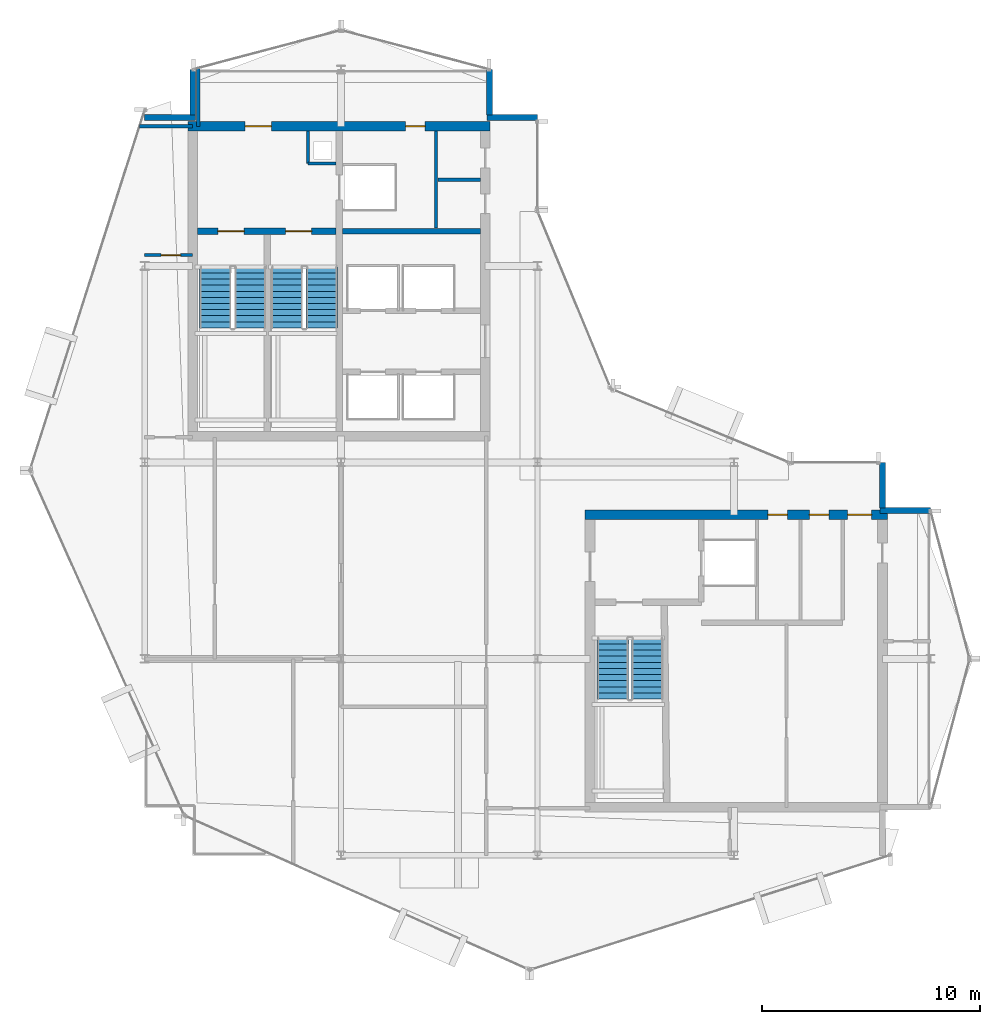
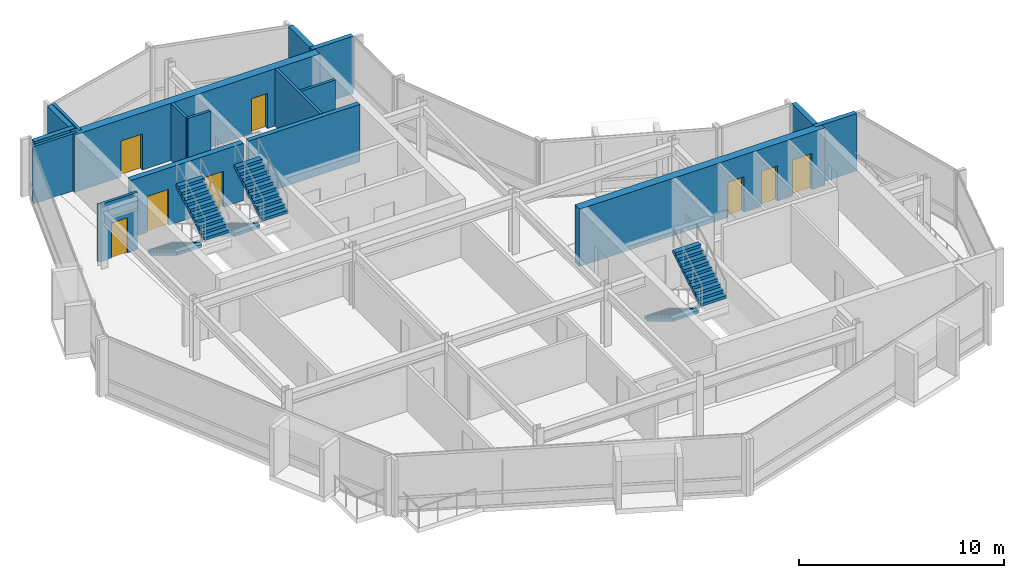
# One storey, part 15 of 19: 17 walls, 8 doors, 6 stair flights, 8 openings, 3 elements without a shape of their own.
"""IFC4 building model written with IfcOpenShell, lengths in metres."""

from ifc_helpers import new_model, si_unit, direction, frame, frame_2d, origin, place, context, subcontext, project, spatial, polyline, rectangle, outline, extrude, material, layer, layer_set, type_object, element, fill, aggregate, save


model = new_model("IFC4")

# Units and contexts
model_context = context("Model", 3, precision=1e-05, world=origin(), true_north=direction((0.0, 1.0)))
body_context = subcontext(model_context, "Body", "Model", "MODEL_VIEW")
ifc_project = project(units=[si_unit("LENGTHUNIT", "METRE"), si_unit("AREAUNIT", "SQUARE_METRE"), si_unit("VOLUMEUNIT", "CUBIC_METRE"), si_unit("PLANEANGLEUNIT", "RADIAN"), si_unit("MASSUNIT", "GRAM", prefix="KILO")], contexts=[model_context])

# Site, building, storey
site_placement = place(None, origin())
site = spatial("IfcSite", under=ifc_project, at=site_placement, CompositionType="ELEMENT")
building_placement = place(site_placement, origin())
building = spatial("IfcBuilding", under=site, at=building_placement, Name="Solvaryn Broadcast Tower", CompositionType="ELEMENT")
storey_placement = place(building_placement, frame((0.0, 0.0, 266.699951171875)))
storey = spatial("IfcBuildingStorey", under=building, at=storey_placement, Name="L67", CompositionType="ELEMENT", Elevation=266.699951171875)

# Wall, openings, doors
ifc_material_1 = material(Name="Concrete f'c 70 MPa", Category="concrete")
ifc_layer_1 = layer(ifc_material_1, 0.449951171875)
ifc_layer_set_1 = layer_set([ifc_layer_1], Name="CW-SHEAR-450")
wall_type_1 = type_object("IfcWallType", Name="CW-SHEAR-450", PredefinedType="SHEAR", material=ifc_layer_set_1)
wall_1_placement = place(storey_placement, frame((24.824951171875, 42.39990234375, 0.0), z_axis=(0.0, 0.0, 1.0), x_axis=(-1.0, 0.0, 0.0)))
wall_1 = element("IfcWall", 1, at=wall_1_placement, inside=storey, type_object=wall_type_1, Name="L67 West Core North Shear Wall", PredefinedType="SHEAR", context=body_context, shape_type="SweptSolid", body=[
    extrude(rectangle(XDim=13.849853515625, YDim=0.449951171875, at=frame_2d((6.9248046875, 0.0))), origin(), (0.0, 0.0, 1.0), 3.420166015625),
])
opening_1_placement = place(wall_1_placement, frame((10.02490234375, 0.0, 0.0)))
opening_1 = element("IfcOpeningElement", 2, at=opening_1_placement, cuts=wall_1, Name="Opening FD90A", PredefinedType="OPENING", context=body_context, shape_type="SweptSolid", body=[
    extrude(rectangle(XDim=1.199951171875, YDim=2.14990234375, at=frame_2d((0.60009765625, 1.074951171875))), frame((0.0, 0.235107421875, 0.0), z_axis=(0.0, -1.0, 0.0), x_axis=(1.0, 0.0, 0.0)), (0.0, 0.0, 1.0), 0.469970703125),
])
opening_2_placement = place(wall_1_placement, frame((2.97509765625, 0.0, 0.0)))
opening_2 = element("IfcOpeningElement", 3, at=opening_2_placement, cuts=wall_1, Name="Opening FD60C", PredefinedType="OPENING", context=body_context, shape_type="SweptSolid", body=[
    extrude(rectangle(XDim=0.89990234375, YDim=2.10009765625, at=frame_2d((0.449951171875, 1.050048828125))), frame((0.0, 0.235107421875, 0.0), z_axis=(0.0, -1.0, 0.0), x_axis=(1.0, 0.0, 0.0)), (0.0, 0.0, 1.0), 0.469970703125),
])
ifc_material_2 = material(Name="Flush Acoustic Steel and Timber Door Assembly", Category="steel")
door_type_1 = type_object("IfcDoorType", Name="FD60-SERV-900X2100", OperationType="NOTDEFINED", PredefinedType="DOOR", material=ifc_material_2)
door_1_placement = place(opening_2_placement, origin())
door_1 = element("IfcDoor", 4, at=door_1_placement, inside=storey, type_object=door_type_1, Name="L67 West Core Fiber Riser Door", OperationType="SINGLE_SWING_RIGHT", OverallHeight=2.10009765625, OverallWidth=0.89990234375, PredefinedType="DOOR", context=body_context, shape_type="SweptSolid", body=[
    extrude(rectangle(XDim=0.89990234375, YDim=2.10009765625, at=frame_2d((0.449951171875, 1.050048828125))), frame((0.0, 0.02490234375, 0.0), z_axis=(0.0, -1.0, 0.0), x_axis=(1.0, 0.0, 0.0)), (0.0, 0.0, 1.0), 0.050048828125),
])
fill(opening_2, door_1)
ifc_material_3 = material(Name="Flush Acoustic Steel and Timber Door Assembly", Category="steel")
door_type_2 = type_object("IfcDoorType", Name="FD90-STAIR-1200X2150", OperationType="NOTDEFINED", PredefinedType="DOOR", material=ifc_material_3)
door_2_placement = place(opening_1_placement, origin())
door_2 = element("IfcDoor", 5, at=door_2_placement, inside=storey, type_object=door_type_2, Name="L67 West FSAE Lobby Corridor Door", OperationType="SINGLE_SWING_LEFT", OverallHeight=2.14990234375, OverallWidth=1.199951171875, PredefinedType="DOOR", context=body_context, shape_type="SweptSolid", body=[
    extrude(rectangle(XDim=1.199951171875, YDim=2.14990234375, at=frame_2d((0.60009765625, 1.074951171875))), frame((0.0, 0.02490234375, 0.0), z_axis=(0.0, -1.0, 0.0), x_axis=(1.0, 0.0, 0.0)), (0.0, 0.0, 1.0), 0.050048828125),
])
fill(opening_1, door_2)

wall_2_placement = place(storey_placement, frame((43.02490234375, 24.60009765625, 0.0), z_axis=(0.0, 0.0, 1.0), x_axis=(-1.0, 0.0, 0.0)))
wall_2 = element("IfcWall", 6, at=wall_2_placement, inside=storey, type_object=wall_type_1, Name="L67 East Core North Shear Wall", PredefinedType="SHEAR", context=body_context, shape_type="SweptSolid", body=[
    extrude(rectangle(XDim=13.849853515625, YDim=0.449951171875, at=frame_2d((6.9248046875, 0.0))), origin(), (0.0, 0.0, 1.0), 3.420166015625),
])
opening_3_placement = place(wall_2_placement, frame((0.72509765625, 0.0, 0.0)))
opening_3 = element("IfcOpeningElement", 7, at=opening_3_placement, cuts=wall_2, Name="Opening FD90C", PredefinedType="OPENING", context=body_context, shape_type="SweptSolid", body=[
    extrude(rectangle(XDim=1.10009765625, YDim=2.14990234375, at=frame_2d((0.550048828125, 1.074951171875))), frame((0.0, 0.235107421875, 0.0), z_axis=(0.0, -1.0, 0.0), x_axis=(1.0, 0.0, 0.0)), (0.0, 0.0, 1.0), 0.469970703125),
])
opening_4_placement = place(wall_2_placement, frame((2.675048828125, 0.0, 0.0)))
opening_4 = element("IfcOpeningElement", 8, at=opening_4_placement, cuts=wall_2, Name="Opening FD60C", PredefinedType="OPENING", context=body_context, shape_type="SweptSolid", body=[
    extrude(rectangle(XDim=0.89990234375, YDim=2.10009765625, at=frame_2d((0.449951171875, 1.050048828125))), frame((0.0, 0.235107421875, 0.0), z_axis=(0.0, -1.0, 0.0), x_axis=(1.0, 0.0, 0.0)), (0.0, 0.0, 1.0), 0.469970703125),
])
opening_5_placement = place(wall_2_placement, frame((4.574951171875, 0.0, 0.0)))
opening_5 = element("IfcOpeningElement", 9, at=opening_5_placement, cuts=wall_2, Name="Opening FD60C", PredefinedType="OPENING", context=body_context, shape_type="SweptSolid", body=[
    extrude(rectangle(XDim=0.89990234375, YDim=2.10009765625, at=frame_2d((0.449951171875, 1.050048828125))), frame((0.0, 0.235107421875, 0.0), z_axis=(0.0, -1.0, 0.0), x_axis=(1.0, 0.0, 0.0)), (0.0, 0.0, 1.0), 0.469970703125),
])
door_3_placement = place(opening_4_placement, origin())
door_3 = element("IfcDoor", 10, at=door_3_placement, inside=storey, type_object=door_type_1, Name="L67 Staff Restroom Door", OperationType="SINGLE_SWING_LEFT", OverallHeight=2.10009765625, OverallWidth=0.89990234375, PredefinedType="DOOR", context=body_context, shape_type="SweptSolid", body=[
    extrude(rectangle(XDim=0.89990234375, YDim=2.10009765625, at=frame_2d((0.449951171875, 1.050048828125))), frame((0.0, 0.02490234375, 0.0), z_axis=(0.0, -1.0, 0.0), x_axis=(1.0, 0.0, 0.0)), (0.0, 0.0, 1.0), 0.050048828125),
])
fill(opening_4, door_3)
door_4_placement = place(opening_5_placement, origin())
door_4 = element("IfcDoor", 11, at=door_4_placement, inside=storey, type_object=door_type_1, Name="L67 Accessible WC Door", OperationType="SINGLE_SWING_RIGHT", OverallHeight=2.10009765625, OverallWidth=0.89990234375, PredefinedType="DOOR", context=body_context, shape_type="SweptSolid", body=[
    extrude(rectangle(XDim=0.89990234375, YDim=2.10009765625, at=frame_2d((0.449951171875, 1.050048828125))), frame((0.0, 0.02490234375, 0.0), z_axis=(0.0, -1.0, 0.0), x_axis=(1.0, 0.0, 0.0)), (0.0, 0.0, 1.0), 0.050048828125),
])
fill(opening_5, door_4)
ifc_material_4 = material(Name="Flush Acoustic Steel and Timber Door Assembly", Category="steel")
door_type_3 = type_object("IfcDoorType", Name="FD90-PLANT-1100X2150", OperationType="NOTDEFINED", PredefinedType="DOOR", material=ifc_material_4)
door_5_placement = place(opening_3_placement, origin())
door_5 = element("IfcDoor", 12, at=door_5_placement, inside=storey, type_object=door_type_3, Name="L67 East Core Lobby Corridor Door", OperationType="SINGLE_SWING_LEFT", OverallHeight=2.14990234375, OverallWidth=1.10009765625, PredefinedType="DOOR", context=body_context, shape_type="SweptSolid", body=[
    extrude(rectangle(XDim=1.10009765625, YDim=2.14990234375, at=frame_2d((0.550048828125, 1.074951171875))), frame((0.0, 0.02490234375, 0.0), z_axis=(0.0, -1.0, 0.0), x_axis=(1.0, 0.0, 0.0)), (0.0, 0.0, 1.0), 0.050048828125),
])
fill(opening_3, door_5)

# Walls
ifc_material_5 = material(Name="Concrete f'c 50 MPa", Category="concrete")
ifc_layer_2 = layer(ifc_material_5, 0.260009765625)
ifc_layer_set_2 = layer_set([ifc_layer_2], Name="EW-PIER-260")
wall_type_2 = type_object("IfcWallType", Name="EW-PIER-260", PredefinedType="SOLIDWALL", material=ifc_layer_set_2)
wall_3_placement = place(storey_placement, frame((9.0, 42.800048828125, 0.0), z_axis=(0.0, 0.0, 1.0), x_axis=(1.0, 0.0, 0.0)))
element("IfcWall", 13, at=wall_3_placement, inside=storey, type_object=wall_type_2, Name="L67 Notched Corner Pier Wall NNW1", PredefinedType="SOLIDWALL", context=body_context, shape_type="SweptSolid", body=[
    extrude(rectangle(XDim=2.320068359375, YDim=0.260009765625, at=frame_2d((1.16015625, 0.0))), origin(), (0.0, 0.0, 1.0), 3.420166015625),
])
for number, where, z_axis, x_axis, name in (
    (14, (11.199951171875, 42.919921875, 0.0), (0.0, 0.0, 1.0), (0.0, 1.0, 0.0), "L67 Notched Corner Pier Wall NNW2"),
    (15, (24.800048828125, 45.0, 0.0), (0.0, 0.0, 1.0), (0.0, -1.0, 0.0), "L67 Notched Corner Pier Wall NNE1"),
):
    element("IfcWall", number, at=place(storey_placement, frame(where, z_axis=z_axis, x_axis=x_axis)), inside=storey, type_object=wall_type_2, Name=name, PredefinedType="SOLIDWALL", context=body_context, shape_type="SweptSolid", body=[
        extrude(rectangle(XDim=2.080078125, YDim=0.260009765625, at=frame_2d((1.0400390625, 0.0))), origin(), (0.0, 0.0, 1.0), 3.420166015625),
    ])
for number, where, z_axis, x_axis, name in (
    (16, (24.679931640625, 42.800048828125, 0.0), (0.0, 0.0, 1.0), (1.0, 0.0, 0.0), "L67 Notched Corner Pier Wall NNE2"),
    (17, (45.0, 24.800048828125, 0.0), (0.0, 0.0, 1.0), (-1.0, 0.0, 0.0), "L67 Notched Corner Pier Wall NEE1"),
):
    element("IfcWall", number, at=place(storey_placement, frame(where, z_axis=z_axis, x_axis=x_axis)), inside=storey, type_object=wall_type_2, Name=name, PredefinedType="SOLIDWALL", context=body_context, shape_type="SweptSolid", body=[
        extrude(rectangle(XDim=2.320068359375, YDim=0.260009765625, at=frame_2d((1.16015625, 0.0))), origin(), (0.0, 0.0, 1.0), 3.420166015625),
    ])
wall_4_placement = place(storey_placement, frame((42.800048828125, 24.919921875, 0.0), z_axis=(0.0, 0.0, 1.0), x_axis=(0.0, 1.0, 0.0)))
element("IfcWall", 18, at=wall_4_placement, inside=storey, type_object=wall_type_2, Name="L67 Notched Corner Pier Wall NEE2", PredefinedType="SOLIDWALL", context=body_context, shape_type="SweptSolid", body=[
    extrude(rectangle(XDim=2.080078125, YDim=0.260009765625, at=frame_2d((1.0400390625, 0.0))), origin(), (0.0, 0.0, 1.0), 3.420166015625),
])
ifc_material_6 = material(Name="Metal-Stud Service Core Partition")
ifc_layer_3 = layer(ifc_material_6, 0.14990234375)
ifc_layer_set_3 = layer_set([ifc_layer_3], Name="IW-PART-150")
wall_type_3 = type_object("IfcWallType", Name="IW-PART-150", PredefinedType="PARTITIONING", material=ifc_layer_set_3)
wall_5_placement = place(storey_placement, frame((16.47998046875, 40.699951171875, 0.0), z_axis=(0.0, 0.0, 1.0), x_axis=(1.0, 0.0, 0.0)))
element("IfcWall", 19, at=wall_5_placement, inside=storey, type_object=wall_type_3, Name="L67 West Core Riser Shaft South Wall", PredefinedType="PARTITIONING", context=body_context, shape_type="SweptSolid", body=[
    extrude(rectangle(XDim=1.2900390625, YDim=0.14990234375, at=frame_2d((0.64501953125, 0.0))), origin(), (0.0, 0.0, 1.0), 3.420166015625),
])
wall_6_placement = place(storey_placement, frame((16.47998046875, 40.699951171875, 0.0), z_axis=(0.0, 0.0, 1.0), x_axis=(0.0, 1.0, 0.0)))
element("IfcWall", 20, at=wall_6_placement, inside=storey, type_object=wall_type_3, Name="L67 West Core Riser Shaft West Wall", PredefinedType="PARTITIONING", context=body_context, shape_type="SweptSolid", body=[
    extrude(rectangle(XDim=1.47509765625, YDim=0.14990234375, at=frame_2d((0.737548828125, 0.0))), origin(), (0.0, 0.0, 1.0), 3.420166015625),
])
wall_7_placement = place(storey_placement, frame((22.35009765625, 37.72998046875, 0.0), z_axis=(0.0, 0.0, 1.0), x_axis=(0.0, 1.0, 0.0)))
element("IfcWall", 21, at=wall_7_placement, inside=storey, type_object=wall_type_3, Name="L67 Interior Partition IW-L67-CWS-V", PredefinedType="PARTITIONING", context=body_context, shape_type="SweptSolid", body=[
    extrude(rectangle(XDim=4.445068359375, YDim=0.14990234375, at=frame_2d((2.22265625, 0.0))), origin(), (0.0, 0.0, 1.0), 3.420166015625),
])
wall_8_placement = place(storey_placement, frame((22.429931640625, 39.949951171875, 0.0), z_axis=(0.0, 0.0, 1.0), x_axis=(1.0, 0.0, 0.0)))
element("IfcWall", 22, at=wall_8_placement, inside=storey, type_object=wall_type_3, Name="L67 Interior Partition IW-L67-CWS-H", PredefinedType="PARTITIONING", context=body_context, shape_type="SweptSolid", body=[
    extrude(rectangle(XDim=1.945068359375, YDim=0.14990234375, at=frame_2d((0.97265625, 0.0))), origin(), (0.0, 0.0, 1.0), 3.420166015625),
])

# Wall, opening, door
wall_9_placement = place(storey_placement, frame((9.0, 36.5, 0.0), z_axis=(0.0, 0.0, 1.0), x_axis=(1.0, 0.0, 0.0)))
wall_9 = element("IfcWall", 23, at=wall_9_placement, inside=storey, type_object=wall_type_3, Name="L67 Interior Partition IW-L67-WM-M", PredefinedType="PARTITIONING", context=body_context, shape_type="SweptSolid", body=[
    extrude(rectangle(XDim=2.199951171875, YDim=0.14990234375, at=frame_2d((1.10009765625, 0.0))), origin(), (0.0, 0.0, 1.0), 3.420166015625),
])
opening_6_placement = place(wall_9_placement, frame((0.75, 0.0, 0.0)))
opening_6 = element("IfcOpeningElement", 24, at=opening_6_placement, cuts=wall_9, Name="Opening FD60C", PredefinedType="OPENING", context=body_context, shape_type="SweptSolid", body=[
    extrude(rectangle(XDim=0.89990234375, YDim=2.10009765625, at=frame_2d((0.449951171875, 1.050048828125))), frame((0.0, 0.0849609375, 0.0), z_axis=(0.0, -1.0, 0.0), x_axis=(1.0, 0.0, 0.0)), (0.0, 0.0, 1.0), 0.169921875),
])
door_6_placement = place(opening_6_placement, origin())
door_6 = element("IfcDoor", 25, at=door_6_placement, inside=storey, type_object=door_type_1, Name="L67 Door DR-L67-WM1", OperationType="SINGLE_SWING_LEFT", OverallHeight=2.10009765625, OverallWidth=0.89990234375, PredefinedType="DOOR", context=body_context, shape_type="SweptSolid", body=[
    extrude(rectangle(XDim=0.89990234375, YDim=2.10009765625, at=frame_2d((0.449951171875, 1.050048828125))), frame((0.0, 0.02490234375, 0.0), z_axis=(0.0, -1.0, 0.0), x_axis=(1.0, 0.0, 0.0)), (0.0, 0.0, 1.0), 0.050048828125),
])
fill(opening_6, door_6)

# Walls
ifc_material_7 = material(Name="Metal-Stud Gypsum Office Partition")
ifc_layer_4 = layer(ifc_material_7, 0.159912109375)
ifc_layer_set_4 = layer_set([ifc_layer_4], Name="IW-PART-160")
wall_type_4 = type_object("IfcWallType", Name="IW-PART-160", PredefinedType="PARTITIONING", material=ifc_layer_set_4)
wall_10_placement = place(storey_placement, frame((8.760986328125, 42.39990234375, 0.0), z_axis=(0.0, 0.0, 1.0), x_axis=(1.0, 0.0, 0.0)))
element("IfcWall", 26, at=wall_10_placement, inside=storey, type_object=wall_type_4, Name="L67 Interior Partition IW-L67-WM-N", PredefinedType="PARTITIONING", context=body_context, shape_type="SweptSolid", body=[
    extrude(rectangle(XDim=2.43896484375, YDim=0.159912109375, at=frame_2d((1.219482421875, 0.0))), origin(), (0.0, 0.0, 1.0), 3.420166015625),
])
wall_11_placement = place(storey_placement, frame((11.449951171875, 42.39990234375, 0.0), z_axis=(0.0, 0.0, 1.0), x_axis=(0.0, 1.0, 0.0)))
element("IfcWall", 27, at=wall_11_placement, inside=storey, type_object=wall_type_4, Name="L67 Interior Partition IW-L67-WM-E", PredefinedType="PARTITIONING", context=body_context, shape_type="SweptSolid", body=[
    extrude(rectangle(XDim=2.666015625, YDim=0.159912109375, at=frame_2d((1.3330078125, 0.0))), origin(), (0.0, 0.0, 1.0), 3.420166015625),
])
ifc_material_8 = material(Name="Concrete f'c 60 MPa", Category="concrete")
ifc_layer_5 = layer(ifc_material_8, 0.25)
ifc_layer_set_5 = layer_set([ifc_layer_5], Name="SW-SHAFT-250")
wall_type_5 = type_object("IfcWallType", Name="SW-SHAFT-250", PredefinedType="PARTITIONING", material=ifc_layer_set_5)
wall_12_placement = place(storey_placement, frame((18.070068359375, 37.60009765625, 0.0), z_axis=(0.0, 0.0, 1.0), x_axis=(1.0, 0.0, 0.0)))
element("IfcWall", 28, at=wall_12_placement, inside=storey, type_object=wall_type_5, Name="L67 West Core FSAE Hoistway Front Wall", PredefinedType="PARTITIONING", context=body_context, shape_type="SweptSolid", body=[
    extrude(rectangle(XDim=6.304931640625, YDim=0.25, at=frame_2d((3.15234375, 0.0))), origin(), (0.0, 0.0, 1.0), 3.420166015625),
])

# Wall, openings, doors
ifc_material_9 = material(Name="Concrete f'c 70 MPa", Category="concrete")
ifc_layer_6 = layer(ifc_material_9, 0.300048828125)
ifc_layer_set_6 = layer_set([ifc_layer_6], Name="SW-SHAFT-300")
wall_type_6 = type_object("IfcWallType", Name="SW-SHAFT-300", PredefinedType="SHEAR", material=ifc_layer_set_6)
wall_13_placement = place(storey_placement, frame((17.77001953125, 37.60009765625, 0.0), z_axis=(0.0, 0.0, 1.0), x_axis=(-1.0, 0.0, 0.0)))
wall_13 = element("IfcWall", 29, at=wall_13_placement, inside=storey, type_object=wall_type_6, Name="L67 West Core FSAE Lobby South Wall", PredefinedType="SHEAR", context=body_context, shape_type="SweptSolid", body=[
    extrude(rectangle(XDim=6.344970703125, YDim=0.300048828125, at=frame_2d((3.17236328125, 0.0))), origin(), (0.0, 0.0, 1.0), 3.420166015625),
])
opening_7_placement = place(wall_13_placement, frame((4.219970703125, 0.0, 0.0)))
opening_7 = element("IfcOpeningElement", 30, at=opening_7_placement, cuts=wall_13, Name="Opening FD90A", PredefinedType="OPENING", context=body_context, shape_type="SweptSolid", body=[
    extrude(rectangle(XDim=1.199951171875, YDim=2.14990234375, at=frame_2d((0.60009765625, 1.074951171875))), frame((0.0, 0.159912109375, 0.0), z_axis=(0.0, -1.0, 0.0), x_axis=(1.0, 0.0, 0.0)), (0.0, 0.0, 1.0), 0.320068359375),
])
opening_8_placement = place(wall_13_placement, frame((1.1201171875, 0.0, 0.0)))
opening_8 = element("IfcOpeningElement", 31, at=opening_8_placement, cuts=wall_13, Name="Opening FD90A", PredefinedType="OPENING", context=body_context, shape_type="SweptSolid", body=[
    extrude(rectangle(XDim=1.199951171875, YDim=2.14990234375, at=frame_2d((0.60009765625, 1.074951171875))), frame((0.0, 0.159912109375, 0.0), z_axis=(0.0, -1.0, 0.0), x_axis=(1.0, 0.0, 0.0)), (0.0, 0.0, 1.0), 0.320068359375),
])
door_7_placement = place(opening_7_placement, origin())
door_7 = element("IfcDoor", 32, at=door_7_placement, inside=storey, type_object=door_type_2, Name="L67 Stair 1 Fire Door", OperationType="SINGLE_SWING_LEFT", OverallHeight=2.14990234375, OverallWidth=1.199951171875, PredefinedType="DOOR", context=body_context, shape_type="SweptSolid", body=[
    extrude(rectangle(XDim=1.199951171875, YDim=2.14990234375, at=frame_2d((0.60009765625, 1.074951171875))), frame((0.0, 0.02490234375, 0.0), z_axis=(0.0, -1.0, 0.0), x_axis=(1.0, 0.0, 0.0)), (0.0, 0.0, 1.0), 0.050048828125),
])
fill(opening_7, door_7)
door_8_placement = place(opening_8_placement, origin())
door_8 = element("IfcDoor", 33, at=door_8_placement, inside=storey, type_object=door_type_2, Name="L67 Stair 2 Fire Door", OperationType="SINGLE_SWING_RIGHT", OverallHeight=2.14990234375, OverallWidth=1.199951171875, PredefinedType="DOOR", context=body_context, shape_type="SweptSolid", body=[
    extrude(rectangle(XDim=1.199951171875, YDim=2.14990234375, at=frame_2d((0.60009765625, 1.074951171875))), frame((0.0, 0.02490234375, 0.0), z_axis=(0.0, -1.0, 0.0), x_axis=(1.0, 0.0, 0.0)), (0.0, 0.0, 1.0), 0.050048828125),
])
fill(opening_8, door_8)

# Stair, stair flights
ifc_material_10 = material(Name="Concrete f'c 60 MPa", Category="concrete")
stair_type = type_object("IfcStairType", Name="ST-CORE", PredefinedType="HALF_TURN_STAIR", material=ifc_material_10)
stair_1_placement = place(storey_placement, origin())
stair_1 = element("IfcStair", 34, at=stair_1_placement, inside=storey, type_object=stair_type, Name="L67 ST1", PredefinedType="HALF_TURN_STAIR")
ifc_material_11 = material(Name="Concrete f'c 60 MPa", Category="concrete")
ifc_layer_7 = layer(ifc_material_11, 0.159912109375)
ifc_layer_set_7 = layer_set([ifc_layer_7], Name="SF-CORE")
stair_flight_type = type_object("IfcStairFlightType", Name="SF-CORE", PredefinedType="STRAIGHT", material=ifc_layer_set_7)
stair_flight_1_placement = place(storey_placement, frame((12.239990234375, 35.9599609375, 0.0), z_axis=(0.0, 0.0, 1.0), x_axis=(0.0, -1.0, 0.0)))
stair_flight_1 = element("IfcStairFlight", 35, at=stair_flight_1_placement, type_object=stair_flight_type, Name="ST1 flight 1", NumberOfRisers=11, NumberOfTreads=10, PredefinedType="STRAIGHT", RiserHeight=0.168181818, TreadLength=0.28, context=body_context, shape_type="SweptSolid", body=[
    extrude(outline(polyline([(0.0, 0.0), (0.0, 0.168212890625), (0.280029296875, 0.168212890625), (0.280029296875, 0.33642578125), (0.56005859375, 0.33642578125), (0.56005859375, 0.504638671875), (0.840087890625, 0.504638671875), (0.840087890625, 0.672607421875), (1.1201171875, 0.672607421875), (1.1201171875, 0.8408203125), (1.39990234375, 0.8408203125), (1.39990234375, 1.009033203125), (1.679931640625, 1.009033203125), (1.679931640625, 1.17724609375), (1.9599609375, 1.17724609375), (1.9599609375, 1.345458984375), (2.239990234375, 1.345458984375), (2.239990234375, 1.513671875), (2.52001953125, 1.513671875), (2.52001953125, 1.681884765625), (2.800048828125, 1.681884765625), (2.800048828125, 1.85009765625), (2.800048828125, 1.5068359375), (0.291015625, 0.0), (0.0, 0.0)])), frame((0.0, 0.719970703125, 0.0), z_axis=(0.0, -1.0, 0.0), x_axis=(1.0, 0.0, 0.0)), (0.0, 0.0, 1.0), 1.43994140625),
])
stair_flight_2_placement = place(storey_placement, frame((13.830078125, 33.159912109375, 1.85009765625), z_axis=(0.0, 0.0, 1.0), x_axis=(0.0, 1.0, 0.0)))
stair_flight_2 = element("IfcStairFlight", 36, at=stair_flight_2_placement, type_object=stair_flight_type, Name="ST1 flight 2", NumberOfRisers=11, NumberOfTreads=10, PredefinedType="STRAIGHT", RiserHeight=0.168181818, TreadLength=0.28, context=body_context, shape_type="SweptSolid", body=[
    extrude(outline(polyline([(0.0, 0.0), (0.0, 0.168212890625), (0.280029296875, 0.168212890625), (0.280029296875, 0.33642578125), (0.56005859375, 0.33642578125), (0.56005859375, 0.504638671875), (0.840087890625, 0.504638671875), (0.840087890625, 0.672607421875), (1.1201171875, 0.672607421875), (1.1201171875, 0.8408203125), (1.39990234375, 0.8408203125), (1.39990234375, 1.009033203125), (1.679931640625, 1.009033203125), (1.679931640625, 1.17724609375), (1.9599609375, 1.17724609375), (1.9599609375, 1.345458984375), (2.239990234375, 1.345458984375), (2.239990234375, 1.513671875), (2.52001953125, 1.513671875), (2.52001953125, 1.681884765625), (2.800048828125, 1.681884765625), (2.800048828125, 1.85009765625), (2.800048828125, 1.5068359375), (0.291015625, 0.0), (0.0, 0.0)])), frame((0.0, 0.719970703125, 0.0), z_axis=(0.0, -1.0, 0.0), x_axis=(1.0, 0.0, 0.0)), (0.0, 0.0, 1.0), 1.43994140625),
])
aggregate(stair_1, [stair_flight_1, stair_flight_2])

stair_2_placement = place(storey_placement, origin())
stair_2 = element("IfcStair", 37, at=stair_2_placement, inside=storey, type_object=stair_type, Name="L67 ST2", PredefinedType="HALF_TURN_STAIR")
stair_flight_3_placement = place(storey_placement, frame((15.52001953125, 35.9599609375, 0.0), z_axis=(0.0, 0.0, 1.0), x_axis=(0.0, -1.0, 0.0)))
stair_flight_3 = element("IfcStairFlight", 38, at=stair_flight_3_placement, type_object=stair_flight_type, Name="ST2 flight 1", NumberOfRisers=11, NumberOfTreads=10, PredefinedType="STRAIGHT", RiserHeight=0.168181818, TreadLength=0.28, context=body_context, shape_type="SweptSolid", body=[
    extrude(outline(polyline([(0.0, 0.0), (0.0, 0.168212890625), (0.280029296875, 0.168212890625), (0.280029296875, 0.33642578125), (0.56005859375, 0.33642578125), (0.56005859375, 0.504638671875), (0.840087890625, 0.504638671875), (0.840087890625, 0.672607421875), (1.1201171875, 0.672607421875), (1.1201171875, 0.8408203125), (1.39990234375, 0.8408203125), (1.39990234375, 1.009033203125), (1.679931640625, 1.009033203125), (1.679931640625, 1.17724609375), (1.9599609375, 1.17724609375), (1.9599609375, 1.345458984375), (2.239990234375, 1.345458984375), (2.239990234375, 1.513671875), (2.52001953125, 1.513671875), (2.52001953125, 1.681884765625), (2.800048828125, 1.681884765625), (2.800048828125, 1.85009765625), (2.800048828125, 1.5068359375), (0.291015625, 0.0), (0.0, 0.0)])), frame((0.0, 0.719970703125, 0.0), z_axis=(0.0, -1.0, 0.0), x_axis=(1.0, 0.0, 0.0)), (0.0, 0.0, 1.0), 1.43994140625),
])
stair_flight_4_placement = place(storey_placement, frame((17.110107421875, 33.159912109375, 1.85009765625), z_axis=(0.0, 0.0, 1.0), x_axis=(0.0, 1.0, 0.0)))
stair_flight_4 = element("IfcStairFlight", 39, at=stair_flight_4_placement, type_object=stair_flight_type, Name="ST2 flight 2", NumberOfRisers=11, NumberOfTreads=10, PredefinedType="STRAIGHT", RiserHeight=0.168181818, TreadLength=0.28, context=body_context, shape_type="SweptSolid", body=[
    extrude(outline(polyline([(0.0, 0.0), (0.0, 0.168212890625), (0.280029296875, 0.168212890625), (0.280029296875, 0.33642578125), (0.56005859375, 0.33642578125), (0.56005859375, 0.504638671875), (0.840087890625, 0.504638671875), (0.840087890625, 0.672607421875), (1.1201171875, 0.672607421875), (1.1201171875, 0.8408203125), (1.39990234375, 0.8408203125), (1.39990234375, 1.009033203125), (1.679931640625, 1.009033203125), (1.679931640625, 1.17724609375), (1.9599609375, 1.17724609375), (1.9599609375, 1.345458984375), (2.239990234375, 1.345458984375), (2.239990234375, 1.513671875), (2.52001953125, 1.513671875), (2.52001953125, 1.681884765625), (2.800048828125, 1.681884765625), (2.800048828125, 1.85009765625), (2.800048828125, 1.5068359375), (0.291015625, 0.0), (0.0, 0.0)])), frame((0.0, 0.719970703125, 0.0), z_axis=(0.0, -1.0, 0.0), x_axis=(1.0, 0.0, 0.0)), (0.0, 0.0, 1.0), 1.43994140625),
])
aggregate(stair_2, [stair_flight_3, stair_flight_4])

stair_3_placement = place(storey_placement, origin())
stair_3 = element("IfcStair", 40, at=stair_3_placement, inside=storey, type_object=stair_type, Name="L67 ST3", PredefinedType="HALF_TURN_STAIR")
stair_flight_5_placement = place(storey_placement, frame((30.43994140625, 18.9599609375, 0.0), z_axis=(0.0, 0.0, 1.0), x_axis=(0.0, -1.0, 0.0)))
stair_flight_5 = element("IfcStairFlight", 41, at=stair_flight_5_placement, type_object=stair_flight_type, Name="ST3 flight 1", NumberOfRisers=11, NumberOfTreads=10, PredefinedType="STRAIGHT", RiserHeight=0.168181818, TreadLength=0.28, context=body_context, shape_type="SweptSolid", body=[
    extrude(outline(polyline([(0.0, 0.0), (0.0, 0.168212890625), (0.280029296875, 0.168212890625), (0.280029296875, 0.33642578125), (0.56005859375, 0.33642578125), (0.56005859375, 0.504638671875), (0.840087890625, 0.504638671875), (0.840087890625, 0.672607421875), (1.1201171875, 0.672607421875), (1.1201171875, 0.8408203125), (1.39990234375, 0.8408203125), (1.39990234375, 1.009033203125), (1.679931640625, 1.009033203125), (1.679931640625, 1.17724609375), (1.9599609375, 1.17724609375), (1.9599609375, 1.345458984375), (2.239990234375, 1.345458984375), (2.239990234375, 1.513671875), (2.52001953125, 1.513671875), (2.52001953125, 1.681884765625), (2.800048828125, 1.681884765625), (2.800048828125, 1.85009765625), (2.800048828125, 1.5068359375), (0.291015625, 0.0), (0.0, 0.0)])), frame((0.0, 0.719970703125, 0.0), z_axis=(0.0, -1.0, 0.0), x_axis=(1.0, 0.0, 0.0)), (0.0, 0.0, 1.0), 1.43994140625),
])
stair_flight_6_placement = place(storey_placement, frame((32.030029296875, 16.159912109375, 1.85009765625), z_axis=(0.0, 0.0, 1.0), x_axis=(0.0, 1.0, 0.0)))
stair_flight_6 = element("IfcStairFlight", 42, at=stair_flight_6_placement, type_object=stair_flight_type, Name="ST3 flight 2", NumberOfRisers=11, NumberOfTreads=10, PredefinedType="STRAIGHT", RiserHeight=0.168181818, TreadLength=0.28, context=body_context, shape_type="SweptSolid", body=[
    extrude(outline(polyline([(0.0, 0.0), (0.0, 0.168212890625), (0.280029296875, 0.168212890625), (0.280029296875, 0.33642578125), (0.56005859375, 0.33642578125), (0.56005859375, 0.504638671875), (0.840087890625, 0.504638671875), (0.840087890625, 0.672607421875), (1.1201171875, 0.672607421875), (1.1201171875, 0.8408203125), (1.39990234375, 0.8408203125), (1.39990234375, 1.009033203125), (1.679931640625, 1.009033203125), (1.679931640625, 1.17724609375), (1.9599609375, 1.17724609375), (1.9599609375, 1.345458984375), (2.239990234375, 1.345458984375), (2.239990234375, 1.513671875), (2.52001953125, 1.513671875), (2.52001953125, 1.681884765625), (2.800048828125, 1.681884765625), (2.800048828125, 1.85009765625), (2.800048828125, 1.5068359375), (0.291015625, 0.0), (0.0, 0.0)])), frame((0.0, 0.719970703125, 0.0), z_axis=(0.0, -1.0, 0.0), x_axis=(1.0, 0.0, 0.0)), (0.0, 0.0, 1.0), 1.43994140625),
])
aggregate(stair_3, [stair_flight_5, stair_flight_6])

save(model, "model.ifc")
